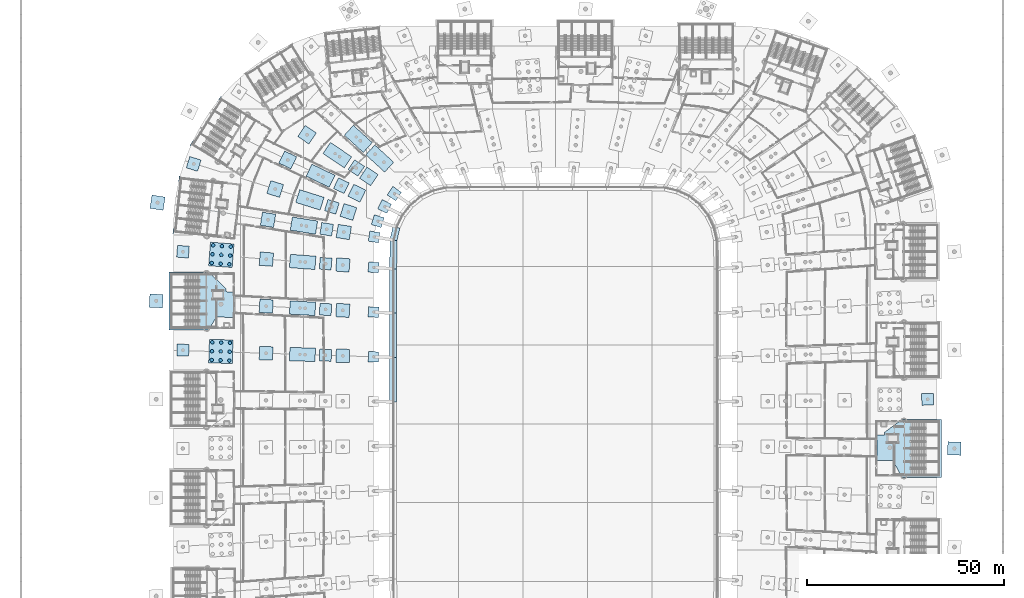
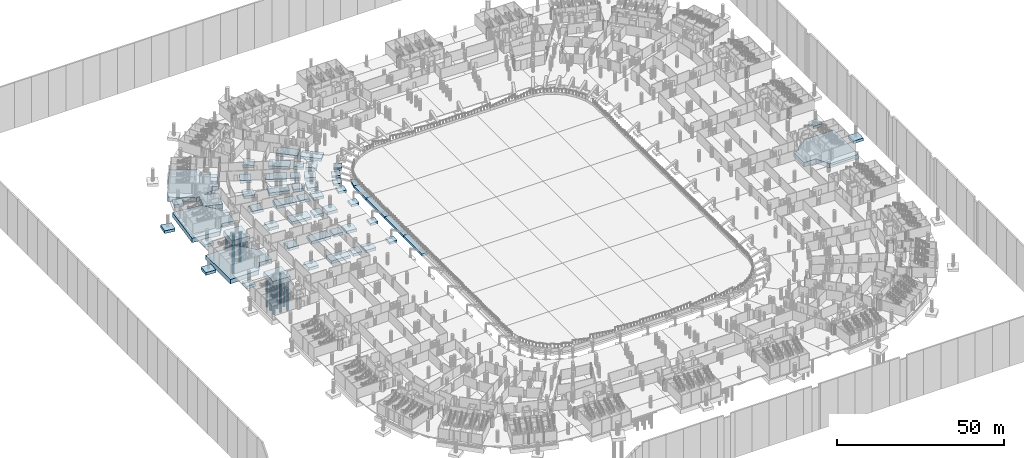
# One storey, part 5 of 142: 54 footings, 18 piles.
"""IFC4 building model written with IfcOpenShell, lengths in metres."""

import ifcopenshell
import ifcopenshell.guid

model = None  # the IFC model being written
_history = None  # IfcOwnerHistory: only IFC2X3 demands one
_inside = {}  # id of a spatial element -> (the spatial element, [elements in it])
_under = {}  # id of a project, library or spatial element -> (it, [spatial elements below it])
_declared = {}  # id of a project -> (the project, [libraries it declares])
_typed = {}  # id of a type object -> (the type object, [elements of that type])
_made_of = {}  # id of a material, layer set ... -> (it, [elements and type objects made of it])


def new_model(schema):
    """Start an empty IFC model of exactly this schema.

    Asked for "IFC4X3", IfcOpenShell would pick the latest addendum, in which some entities
    have other attributes; the version numbers below select the first issue.
    IFC2X3 requires an IfcOwnerHistory on every rooted entity: one is made here for all.
    """
    global model, _history
    if schema == "IFC4X3":
        model = ifcopenshell.file(schema_version=(4, 3, 0, 0))
    else:
        model = ifcopenshell.file(schema=schema)
    _inside.clear()
    _under.clear()
    _declared.clear()
    _typed.clear()
    _made_of.clear()
    _history = None
    if model.schema == "IFC2X3":
        org = make("IfcOrganization", Name="unknown")
        user = make(
            "IfcPersonAndOrganization",
            ThePerson=make("IfcPerson", FamilyName="unknown"),
            TheOrganization=org,
        )
        app = make(
            "IfcApplication",
            ApplicationDeveloper=org,
            Version="unknown",
            ApplicationFullName="unknown",
            ApplicationIdentifier="unknown",
        )
        _history = make(
            "IfcOwnerHistory",
            OwningUser=user,
            OwningApplication=app,
            ChangeAction="ADDED",
            CreationDate=0,
        )
    return model


def make(cls, **values):
    """One entity of the class cls with the attributes given. An attribute that is None is left unset."""
    return model.create_entity(
        cls, **{name: value for name, value in values.items() if value is not None}
    )


def rooted(cls, **values):
    """An entity with a GlobalId (a new one), such as an element, a storey or a relation."""
    return make(cls, GlobalId=ifcopenshell.guid.new(), OwnerHistory=_history, **values)


def si_unit(unit_type, name, prefix=None):
    """IfcSIUnit, for example si_unit("LENGTHUNIT", "METRE", prefix="MILLI")."""
    return make("IfcSIUnit", UnitType=unit_type, Prefix=prefix, Name=name)


def assignment(units):
    """IfcUnitAssignment: the units of a project."""
    return None if units is None else make("IfcUnitAssignment", Units=units)


def point(xyz):
    """IfcCartesianPoint."""
    return None if xyz is None else make("IfcCartesianPoint", Coordinates=xyz)


def direction(xyz):
    """IfcDirection."""
    return None if xyz is None else make("IfcDirection", DirectionRatios=xyz)


def frame(location, z_axis=None, x_axis=None):
    """IfcAxis2Placement3D, a coordinate frame: its origin and axes. An axis left out is left unset."""
    return make(
        "IfcAxis2Placement3D",
        Location=point(location),
        Axis=direction(z_axis),
        RefDirection=direction(x_axis),
    )


def frame_2d(location, x_axis=None):
    """IfcAxis2Placement2D, a coordinate frame in the plane: its origin and x axis."""
    return make(
        "IfcAxis2Placement2D", Location=point(location), RefDirection=direction(x_axis)
    )


def origin():
    """The frame at (0, 0, 0) with its axes left unset."""
    return frame((0.0, 0.0, 0.0))


def origin_2d():
    """The frame at (0, 0) in the plane with its x axis left unset."""
    return frame_2d((0.0, 0.0))


def place(relative_to, where):
    """IfcLocalPlacement: puts the frame where relative to a parent placement (None: the world)."""
    return make(
        "IfcLocalPlacement", PlacementRelTo=relative_to, RelativePlacement=where
    )


def context(
    kind, dimensions, precision=None, world=None, true_north=None, identifier=None
):
    """IfcGeometricRepresentationContext, for example the 3D "Model" context."""
    return make(
        "IfcGeometricRepresentationContext",
        ContextIdentifier=identifier,
        ContextType=kind,
        CoordinateSpaceDimension=dimensions,
        Precision=precision,
        WorldCoordinateSystem=world,
        TrueNorth=true_north,
    )


def subcontext(parent, identifier, kind, view, scale=None):
    """IfcGeometricRepresentationSubContext, for example "Body" below "Model"."""
    return make(
        "IfcGeometricRepresentationSubContext",
        ContextIdentifier=identifier,
        ContextType=kind,
        ParentContext=parent,
        TargetScale=scale,
        TargetView=view,
    )


def project(units=None, contexts=None):
    """IfcProject with its units and contexts."""
    return rooted(
        "IfcProject",
        Name="project",
        RepresentationContexts=contexts,
        UnitsInContext=assignment(units),
    )


def spatial(cls, under=None, at=None, **own):
    """A site, building, storey or space (cls), placed at a placement, below another one or the project."""
    s = rooted(cls, ObjectPlacement=at, **own)
    if under is not None:
        _under.setdefault(under.id(), (under, []))[1].append(s)
    return s


def polyline(points):
    """IfcPolyline through the points."""
    return make("IfcPolyline", Points=[point(p) for p in points])


def profile(cls, at=None, kind="AREA", **sizes):
    """A parametric profile (cls). Its sizes go by their IFC names, for example OverallWidth=200.0."""
    return make(cls, ProfileType=kind, Position=at, **sizes)


def circle(**sizes):
    """IfcCircleProfileDef."""
    return profile("IfcCircleProfileDef", **sizes)


def outline(outer, holes=None, kind="AREA"):
    """IfcArbitraryClosedProfileDef: a profile drawn as a closed curve; with holes, ...WithVoids."""
    if holes is None:
        return make("IfcArbitraryClosedProfileDef", ProfileType=kind, OuterCurve=outer)
    return make(
        "IfcArbitraryProfileDefWithVoids",
        ProfileType=kind,
        OuterCurve=outer,
        InnerCurves=holes,
    )


def extrude(swept, where, along, depth):
    """IfcExtrudedAreaSolid: the profile swept, set in the frame where, extruded along a direction by depth."""
    return make(
        "IfcExtrudedAreaSolid",
        SweptArea=swept,
        Position=where,
        ExtrudedDirection=direction(along),
        Depth=depth,
    )


def shape(context_of_items, identifier, shape_type, items):
    """IfcShapeRepresentation: the items that make up one representation, for example the "Body"."""
    return make(
        "IfcShapeRepresentation",
        ContextOfItems=context_of_items,
        RepresentationIdentifier=identifier,
        RepresentationType=shape_type,
        Items=items,
    )


def material(Name=None, Category=None):
    """IfcMaterial."""
    return make("IfcMaterial", Name=Name, Category=Category)


def material_profile(
    of_material, cross_section, Name=None, Category=None, Priority=None
):
    """IfcMaterialProfile: a cross section and its material."""
    return make(
        "IfcMaterialProfile",
        Name=Name,
        Material=of_material,
        Profile=cross_section,
        Priority=Priority,
        Category=Category,
    )


def profile_set(profiles, Name=None, composite=None):
    """IfcMaterialProfileSet."""
    return make(
        "IfcMaterialProfileSet",
        Name=Name,
        MaterialProfiles=profiles,
        CompositeProfile=composite,
    )


def made_of(thing, what):
    """Note that an element or type object is made of a material, layer set ...; save() writes the relation."""
    if what is not None:
        _made_of.setdefault(what.id(), (what, []))[1].append(thing)
    return thing


def type_object(cls, material=None, **own):
    """A type object (cls), such as IfcWallType, which elements share."""
    return made_of(rooted(cls, **own), material)


def element(
    cls,
    number,
    at=None,
    inside=None,
    cuts=None,
    type_object=None,
    material=None,
    context=None,
    identifier="Body",
    shape_type=None,
    held_by="IfcProductDefinitionShape",
    body=None,
    shapes=None,
    **own,
):
    """One element of the class cls, such as IfcWall. Its Tag is "e" and its number.

    at: its placement. inside: the storey or other place that contains it. cuts: it is an
    opening in that element (IfcRelVoidsElement). A single representation is given by context,
    identifier, shape_type and body (its items); several are given by shapes. held_by: the class
    of the entity that holds the representations. save() writes the other relations.
    """
    e = rooted(cls, Tag="e%d" % number, ObjectPlacement=at, **own)
    if body is not None:
        shapes = [shape(context, identifier, shape_type, body)]
    if shapes is not None:
        e.Representation = make(held_by, Representations=shapes)
    if inside is not None:
        _inside.setdefault(inside.id(), (inside, []))[1].append(e)
    if cuts is not None:
        rooted(
            "IfcRelVoidsElement", RelatingBuildingElement=cuts, RelatedOpeningElement=e
        )
    if type_object is not None:
        _typed.setdefault(type_object.id(), (type_object, []))[1].append(e)
    return made_of(e, material)


def aggregate(whole, parts):
    """IfcRelAggregates: a whole, such as a stair, and the parts it consists of."""
    return rooted("IfcRelAggregates", RelatingObject=whole, RelatedObjects=parts)


def save(model, path):
    """Write the relations noted so far, then the file.

    IfcRelAggregates (storeys below a building ...), IfcRelContainedInSpatialStructure (elements
    in a storey), IfcRelDefinesByType, IfcRelAssociatesMaterial and IfcRelDeclares: one each for
    every whole, place, type object, material and project.
    """
    for whole, parts in _under.values():
        aggregate(whole, parts)
    for where, things in _inside.values():
        rooted(
            "IfcRelContainedInSpatialStructure",
            RelatedElements=things,
            RelatingStructure=where,
        )
    for kind, things in _typed.values():
        rooted("IfcRelDefinesByType", RelatedObjects=things, RelatingType=kind)
    for what, things in _made_of.values():
        rooted("IfcRelAssociatesMaterial", RelatedObjects=things, RelatingMaterial=what)
    for by, libraries in _declared.values():
        rooted("IfcRelDeclares", RelatingContext=by, RelatedDefinitions=libraries)
    model.write(path)


model = new_model("IFC4")

# Units and contexts
model_context = context("Model", 3, precision=1e-05, world=origin(), true_north=direction((0.0, 1.0)))
body_context = subcontext(model_context, "Body", "Model", "MODEL_VIEW")
ifc_project = project(units=[si_unit("LENGTHUNIT", "METRE"), si_unit("AREAUNIT", "SQUARE_METRE"), si_unit("VOLUMEUNIT", "CUBIC_METRE"), si_unit("PLANEANGLEUNIT", "RADIAN"), si_unit("MASSUNIT", "GRAM", prefix="KILO")], contexts=[model_context])

# Site, building, storey
site_placement = place(None, origin())
site = spatial("IfcSite", under=ifc_project, at=site_placement, CompositionType="ELEMENT")
building_placement = place(site_placement, origin())
building = spatial("IfcBuilding", under=site, at=building_placement, Name="Meseta Stadium", CompositionType="ELEMENT")
storey_placement = place(building_placement, frame((0.0, 0.0, -4.0)))
storey = spatial("IfcBuildingStorey", under=building, at=storey_placement, Name="B1", CompositionType="ELEMENT", Elevation=-4.0)

# Piles
ifc_material_1 = material(Name="Concrete C30/37", Category="concrete")
ifc_material_profile = material_profile(ifc_material_1, circle(Radius=0.449951171875, at=origin_2d()), Name="D900")
ifc_profile_set = profile_set([ifc_material_profile], Name="Concrete C30/37")
pile_type = type_object("IfcPileType", Name="Bored pile D900 A", PredefinedType="BORED", material=ifc_profile_set)
for number, where, z_axis, x_axis, name in (
    (1, (-82.4384765625, 45.019775390625, -2.10009765625), (0.0, 0.0, -1.0), (1.0, 0.0, 0.0), "Bored pile BP9A 29-P-01"),
    (2, (-82.610595703125, 42.7763671875, -2.10009765625), (0.0, 0.0, -1.0), (1.0, 0.0, 0.0), "Bored pile BP9A 29-P-02"),
    (3, (-82.78271484375, 40.532958984375, -2.10009765625), (0.0, 0.0, -1.0), (1.0, 0.0, 0.0), "Bored pile BP9A 29-P-03"),
    (4, (-84.681884765625, 45.19189453125, -2.10009765625), (0.0, 0.0, -1.0), (1.0, 0.0, 0.0), "Bored pile BP9A 29-P-04"),
    (5, (-84.85400390625, 42.948486328125, -2.10009765625), (0.0, 0.0, -1.0), (1.0, 0.0, 0.0), "Bored pile BP9A 29-P-05"),
    (6, (-85.026123046875, 40.705078125, -2.10009765625), (0.0, 0.0, -1.0), (1.0, 0.0, 0.0), "Bored pile BP9A 29-P-06"),
    (7, (-86.92529296875, 45.364013671875, -2.10009765625), (0.0, 0.0, -1.0), (1.0, 0.0, 0.0), "Bored pile BP9A 29-P-07"),
    (8, (-87.097412109375, 43.12060546875, -2.10009765625), (0.0, 0.0, -1.0), (1.0, 0.0, 0.0), "Bored pile BP9A 29-P-08"),
    (9, (-87.26953125, 40.877197265625, -2.10009765625), (0.0, 0.0, -1.0), (1.0, 0.0, 0.0), "Bored pile BP9A 29-P-09"),
    (10, (-82.650390625, 20.585693359375, -2.10009765625), (0.0, 0.0, -1.0), (1.0, 0.0, 0.0), "Bored pile BP9A 31-P-01"),
    (11, (-82.724365234375, 18.3369140625, -2.10009765625), (0.0, 0.0, -1.0), (1.0, 0.0, 0.0), "Bored pile BP9A 31-P-02"),
    (12, (-82.798095703125, 16.087890625, -2.10009765625), (0.0, 0.0, -1.0), (1.0, 0.0, 0.0), "Bored pile BP9A 31-P-03"),
    (13, (-84.899169921875, 20.659423828125, -2.10009765625), (0.0, 0.0, -1.0), (1.0, 0.0, 0.0), "Bored pile BP9A 31-P-04"),
    (14, (-84.97314453125, 18.41064453125, -2.10009765625), (0.0, 0.0, -1.0), (1.0, 0.0, 0.0), "Bored pile BP9A 31-P-05"),
    (15, (-85.047119140625, 16.161865234375, -2.10009765625), (0.0, 0.0, -1.0), (1.0, 0.0, 0.0), "Bored pile BP9A 31-P-06"),
    (16, (-87.14794921875, 20.7333984375, -2.10009765625), (0.0, 0.0, -1.0), (1.0, 0.0, 0.0), "Bored pile BP9A 31-P-07"),
    (17, (-87.221923828125, 18.484619140625, -2.10009765625), (0.0, 0.0, -1.0), (1.0, 0.0, 0.0), "Bored pile BP9A 31-P-08"),
    (18, (-87.2958984375, 16.23583984375, -2.10009765625), (0.0, 0.0, -1.0), (1.0, 0.0, 0.0), "Bored pile BP9A 31-P-09"),
):
    element("IfcPile", number, at=place(storey_placement, frame(where, z_axis=z_axis, x_axis=x_axis)), inside=storey, type_object=pile_type, Name=name, PredefinedType="BORED", context=body_context, shape_type="SweptSolid", body=[
        extrude(circle(Radius=0.449951171875, at=origin_2d()), origin(), (0.0, 0.0, 1.0), 10.89990234375),
    ])

# Footings
ifc_material_2 = material(Name="Concrete C30/37", Category="concrete")
footing_type_1 = type_object("IfcFootingType", Name="Combined footing 6500x3400", PredefinedType="PAD_FOOTING", material=ifc_material_2)
footing_1_placement = place(storey_placement, frame((0.0, 0.0, -1.39990234375)))
element("IfcFooting", 19, at=footing_1_placement, inside=storey, type_object=footing_type_1, Name="Footing F65.34 24-BU", PredefinedType="PAD_FOOTING", context=body_context, shape_type="SweptSolid", body=[
    extrude(outline(polyline([(-41.054443359375, 66.481201171875), (-45.848876953125, 70.8701171875), (-48.14453125, 68.3623046875), (-43.35009765625, 63.973388671875), (-41.054443359375, 66.481201171875)])), origin(), (0.0, 0.0, 1.0), 1.0),
])
footing_2_placement = place(storey_placement, frame((0.0, 0.0, -1.39990234375)))
element("IfcFooting", 20, at=footing_2_placement, inside=storey, type_object=footing_type_1, Name="Footing F65.34 24-CD", PredefinedType="PAD_FOOTING", context=body_context, shape_type="SweptSolid", body=[
    extrude(outline(polyline([(-46.499755859375, 71.466064453125), (-51.294189453125, 75.85498046875), (-53.590087890625, 73.34716796875), (-48.795654296875, 68.958251953125), (-46.499755859375, 71.466064453125)])), origin(), (0.0, 0.0, 1.0), 1.0),
])
footing_3_placement = place(storey_placement, frame((0.0, 0.0, -1.39990234375)))
element("IfcFooting", 21, at=footing_3_placement, inside=storey, type_object=footing_type_1, Name="Footing F65.34 25-CD", PredefinedType="PAD_FOOTING", context=body_context, shape_type="SweptSolid", body=[
    extrude(outline(polyline([(-51.735107421875, 67.870361328125), (-57.12255859375, 71.507080078125), (-59.02490234375, 68.689208984375), (-53.637451171875, 65.052490234375), (-51.735107421875, 67.870361328125)])), origin(), (0.0, 0.0, 1.0), 1.0),
])
footing_4_placement = place(storey_placement, frame((0.0, 0.0, -1.39990234375)))
element("IfcFooting", 22, at=footing_4_placement, inside=storey, type_object=footing_type_1, Name="Footing F65.34 26-CD", PredefinedType="PAD_FOOTING", context=body_context, shape_type="SweptSolid", body=[
    extrude(outline(polyline([(-55.969970703125, 63.171875), (-61.82763671875, 65.989013671875), (-63.30126953125, 62.925048828125), (-57.443359375, 60.10791015625), (-55.969970703125, 63.171875)])), origin(), (0.0, 0.0, 1.0), 1.0),
])
footing_5_placement = place(storey_placement, frame((0.0, 0.0, -1.39990234375)))
element("IfcFooting", 23, at=footing_5_placement, inside=storey, type_object=footing_type_1, Name="Footing F65.34 27-CD", PredefinedType="PAD_FOOTING", context=body_context, shape_type="SweptSolid", body=[
    extrude(outline(polyline([(-58.733642578125, 57.559814453125), (-64.935791015625, 59.50439453125), (-65.953125, 56.260009765625), (-59.750732421875, 54.3154296875), (-58.733642578125, 57.559814453125)])), origin(), (0.0, 0.0, 1.0), 1.0),
])
footing_6_placement = place(storey_placement, frame((0.0, 0.0, -1.39990234375)))
element("IfcFooting", 24, at=footing_6_placement, inside=storey, type_object=footing_type_1, Name="Footing F65.34 28-CD", PredefinedType="PAD_FOOTING", context=body_context, shape_type="SweptSolid", body=[
    extrude(outline(polyline([(-60.380859375, 51.5380859375), (-66.798095703125, 52.571533203125), (-67.3388671875, 49.21484375), (-60.92138671875, 48.18115234375), (-60.380859375, 51.5380859375)])), origin(), (0.0, 0.0, 1.0), 1.0),
])
footing_7_placement = place(storey_placement, frame((0.0, 0.0, -1.39990234375)))
element("IfcFooting", 25, at=footing_7_placement, inside=storey, type_object=footing_type_1, Name="Footing F65.34 29-CD", PredefinedType="PAD_FOOTING", context=body_context, shape_type="SweptSolid", body=[
    extrude(outline(polyline([(-60.811279296875, 42.6005859375), (-67.292236328125, 43.097900390625), (-67.552490234375, 39.7080078125), (-61.0712890625, 39.210693359375), (-60.811279296875, 42.6005859375)])), origin(), (0.0, 0.0, 1.0), 1.0),
])
footing_8_placement = place(storey_placement, frame((0.0, 0.0, -1.39990234375)))
element("IfcFooting", 26, at=footing_8_placement, inside=storey, type_object=footing_type_1, Name="Footing F65.34 30-CD", PredefinedType="PAD_FOOTING", context=body_context, shape_type="SweptSolid", body=[
    extrude(outline(polyline([(-60.876953125, 30.917236328125), (-67.3671875, 31.273193359375), (-67.55322265625, 27.878173828125), (-61.06298828125, 27.5224609375), (-60.876953125, 30.917236328125)])), origin(), (0.0, 0.0, 1.0), 1.0),
])
footing_9_placement = place(storey_placement, frame((0.0, 0.0, -1.39990234375)))
element("IfcFooting", 27, at=footing_9_placement, inside=storey, type_object=footing_type_1, Name="Footing F65.34 31-CD", PredefinedType="PAD_FOOTING", context=body_context, shape_type="SweptSolid", body=[
    extrude(outline(polyline([(-60.933349609375, 19.231689453125), (-67.4296875, 19.4453125), (-67.54150390625, 16.047119140625), (-61.045166015625, 15.83349609375), (-60.933349609375, 19.231689453125)])), origin(), (0.0, 0.0, 1.0), 1.0),
])
ifc_material_3 = material(Name="Concrete C30/37", Category="concrete")
footing_type_2 = type_object("IfcFootingType", Name="Pad footing 2600", PredefinedType="PAD_FOOTING", material=ifc_material_3)
footing_10_placement = place(storey_placement, frame((0.0, 0.0, -1.199951171875)))
element("IfcFooting", 28, at=footing_10_placement, inside=storey, type_object=footing_type_2, Name="Footing F26 25-A", PredefinedType="PAD_FOOTING", context=body_context, shape_type="SweptSolid", body=[
    extrude(outline(polyline([(-39.11181640625, 58.8662109375), (-41.2666015625, 60.32080078125), (-42.72119140625, 58.166015625), (-40.56640625, 56.711181640625), (-39.11181640625, 58.8662109375)])), origin(), (0.0, 0.0, 1.0), 0.800048828125),
])
footing_11_placement = place(storey_placement, frame((0.0, 0.0, -1.199951171875)))
element("IfcFooting", 29, at=footing_11_placement, inside=storey, type_object=footing_type_2, Name="Footing F26 26-A", PredefinedType="PAD_FOOTING", context=body_context, shape_type="SweptSolid", body=[
    extrude(outline(polyline([(-41.652099609375, 55.84228515625), (-43.9951171875, 56.96923828125), (-45.1220703125, 54.626220703125), (-42.779052734375, 53.499267578125), (-41.652099609375, 55.84228515625)])), origin(), (0.0, 0.0, 1.0), 0.800048828125),
])
footing_12_placement = place(storey_placement, frame((0.0, 0.0, -1.199951171875)))
element("IfcFooting", 30, at=footing_12_placement, inside=storey, type_object=footing_type_2, Name="Footing F26 27-A", PredefinedType="PAD_FOOTING", context=body_context, shape_type="SweptSolid", body=[
    extrude(outline(polyline([(-43.49072265625, 52.361328125), (-45.9716796875, 53.139404296875), (-46.74951171875, 50.658203125), (-44.2685546875, 49.880615234375), (-43.49072265625, 52.361328125)])), origin(), (0.0, 0.0, 1.0), 0.800048828125),
])
footing_13_placement = place(storey_placement, frame((0.0, 0.0, -1.199951171875)))
element("IfcFooting", 31, at=footing_13_placement, inside=storey, type_object=footing_type_2, Name="Footing F26 28-A", PredefinedType="PAD_FOOTING", context=body_context, shape_type="SweptSolid", body=[
    extrude(outline(polyline([(-44.54931640625, 48.5830078125), (-47.1162109375, 48.99658203125), (-47.52978515625, 46.429443359375), (-44.962890625, 46.01611328125), (-44.54931640625, 48.5830078125)])), origin(), (0.0, 0.0, 1.0), 0.800048828125),
])
footing_14_placement = place(storey_placement, frame((0.0, 0.0, -1.199951171875)))
element("IfcFooting", 32, at=footing_14_placement, inside=storey, type_object=footing_type_2, Name="Footing F26 29-A", PredefinedType="PAD_FOOTING", context=body_context, shape_type="SweptSolid", body=[
    extrude(outline(polyline([(-44.7890625, 40.9697265625), (-47.38134765625, 41.168701171875), (-47.580322265625, 38.576416015625), (-44.988037109375, 38.377197265625), (-44.7890625, 40.9697265625)])), origin(), (0.0, 0.0, 1.0), 0.800048828125),
])
footing_15_placement = place(storey_placement, frame((0.0, 0.0, -1.199951171875)))
element("IfcFooting", 33, at=footing_15_placement, inside=storey, type_object=footing_type_2, Name="Footing F26 30-A", PredefinedType="PAD_FOOTING", context=body_context, shape_type="SweptSolid", body=[
    extrude(outline(polyline([(-44.822998046875, 29.636474609375), (-47.419189453125, 29.77880859375), (-47.561279296875, 27.182861328125), (-44.96533203125, 27.040283203125), (-44.822998046875, 29.636474609375)])), origin(), (0.0, 0.0, 1.0), 0.800048828125),
])
footing_16_placement = place(storey_placement, frame((0.0, 0.0, -1.199951171875)))
element("IfcFooting", 34, at=footing_16_placement, inside=storey, type_object=footing_type_2, Name="Footing F26 31-A", PredefinedType="PAD_FOOTING", context=body_context, shape_type="SweptSolid", body=[
    extrude(outline(polyline([(-44.855224609375, 18.302490234375), (-47.45361328125, 18.387939453125), (-47.539306640625, 15.789306640625), (-44.940673828125, 15.703857421875), (-44.855224609375, 18.302490234375)])), origin(), (0.0, 0.0, 1.0), 0.800048828125),
])
ifc_material_4 = material(Name="Concrete C30/37", Category="concrete")
footing_type_3 = type_object("IfcFootingType", Name="Pad footing 3000", PredefinedType="PAD_FOOTING", material=ifc_material_4)
footing_17_placement = place(storey_placement, frame((0.0, 0.0, -1.39990234375)))
element("IfcFooting", 35, at=footing_17_placement, inside=storey, type_object=footing_type_3, Name="Footing F30 05-R", PredefinedType="PAD_FOOTING", context=body_context, shape_type="SweptSolid", body=[
    extrude(outline(polyline([(93.116455078125, 4.733642578125), (96.116455078125, 4.7666015625), (96.08349609375, 7.766357421875), (93.08349609375, 7.7333984375), (93.116455078125, 4.733642578125)])), origin(), (0.0, 0.0, 1.0), 1.0),
])
footing_18_placement = place(storey_placement, frame((0.0, 0.0, -1.39990234375)))
element("IfcFooting", 36, at=footing_18_placement, inside=storey, type_object=footing_type_3, Name="Footing F30 25-U", PredefinedType="PAD_FOOTING", context=body_context, shape_type="SweptSolid", body=[
    extrude(outline(polyline([(-48.470458984375, 65.42529296875), (-50.956787109375, 67.103759765625), (-52.635498046875, 64.6171875), (-50.14892578125, 62.938720703125), (-48.470458984375, 65.42529296875)])), origin(), (0.0, 0.0, 1.0), 1.0),
])
footing_19_placement = place(storey_placement, frame((0.0, 0.0, -1.39990234375)))
element("IfcFooting", 37, at=footing_19_placement, inside=storey, type_object=footing_type_3, Name="Footing F30 26-U", PredefinedType="PAD_FOOTING", context=body_context, shape_type="SweptSolid", body=[
    extrude(outline(polyline([(-52.3623046875, 61.215087890625), (-55.06591796875, 62.515380859375), (-56.3662109375, 59.811767578125), (-53.66259765625, 58.511474609375), (-52.3623046875, 61.215087890625)])), origin(), (0.0, 0.0, 1.0), 1.0),
])
footing_20_placement = place(storey_placement, frame((0.0, 0.0, -1.39990234375)))
element("IfcFooting", 38, at=footing_20_placement, inside=storey, type_object=footing_type_3, Name="Footing F30 27-R", PredefinedType="PAD_FOOTING", context=body_context, shape_type="SweptSolid", body=[
    extrude(outline(polyline([(-89.99267578125, 67.0341796875), (-92.855224609375, 67.931640625), (-93.752685546875, 65.069091796875), (-90.89013671875, 64.17138671875), (-89.99267578125, 67.0341796875)])), origin(), (0.0, 0.0, 1.0), 1.0),
])
footing_21_placement = place(storey_placement, frame((0.0, 0.0, -1.39990234375)))
element("IfcFooting", 39, at=footing_21_placement, inside=storey, type_object=footing_type_3, Name="Footing F30 27-U", PredefinedType="PAD_FOOTING", context=body_context, shape_type="SweptSolid", body=[
    extrude(outline(polyline([(-54.88134765625, 56.142333984375), (-57.743896484375, 57.039794921875), (-58.641357421875, 54.17724609375), (-55.77880859375, 53.27978515625), (-54.88134765625, 56.142333984375)])), origin(), (0.0, 0.0, 1.0), 1.0),
])
footing_22_placement = place(storey_placement, frame((0.0, 0.0, -1.39990234375)))
element("IfcFooting", 40, at=footing_22_placement, inside=storey, type_object=footing_type_3, Name="Footing F30 28-U", PredefinedType="PAD_FOOTING", context=body_context, shape_type="SweptSolid", body=[
    extrude(outline(polyline([(-56.364990234375, 50.688720703125), (-59.32666015625, 51.16552734375), (-59.8037109375, 48.203857421875), (-56.841796875, 47.726806640625), (-56.364990234375, 50.688720703125)])), origin(), (0.0, 0.0, 1.0), 1.0),
])
footing_23_placement = place(storey_placement, frame((0.0, 0.0, -1.39990234375)))
element("IfcFooting", 41, at=footing_23_placement, inside=storey, type_object=footing_type_3, Name="Footing F30 29-R", PredefinedType="PAD_FOOTING", context=body_context, shape_type="SweptSolid", body=[
    extrude(outline(polyline([(-92.989501953125, 45.130859375), (-95.980712890625, 45.3603515625), (-96.21044921875, 42.369140625), (-93.21923828125, 42.1396484375), (-92.989501953125, 45.130859375)])), origin(), (0.0, 0.0, 1.0), 1.0),
])
footing_24_placement = place(storey_placement, frame((0.0, 0.0, -1.39990234375)))
element("IfcFooting", 42, at=footing_24_placement, inside=storey, type_object=footing_type_3, Name="Footing F30 29-U", PredefinedType="PAD_FOOTING", context=body_context, shape_type="SweptSolid", body=[
    extrude(outline(polyline([(-56.738525390625, 42.08740234375), (-59.729736328125, 42.31689453125), (-59.95947265625, 39.32568359375), (-56.96826171875, 39.09619140625), (-56.738525390625, 42.08740234375)])), origin(), (0.0, 0.0, 1.0), 1.0),
])
footing_25_placement = place(storey_placement, frame((0.0, 0.0, -1.39990234375)))
element("IfcFooting", 43, at=footing_25_placement, inside=storey, type_object=footing_type_3, Name="Footing F30 30-U", PredefinedType="PAD_FOOTING", context=body_context, shape_type="SweptSolid", body=[
    extrude(outline(polyline([(-56.7939453125, 30.4931640625), (-59.78955078125, 30.657470703125), (-59.953857421875, 27.661865234375), (-56.958251953125, 27.497802734375), (-56.7939453125, 30.4931640625)])), origin(), (0.0, 0.0, 1.0), 1.0),
])
footing_26_placement = place(storey_placement, frame((0.0, 0.0, -1.39990234375)))
element("IfcFooting", 44, at=footing_26_placement, inside=storey, type_object=footing_type_3, Name="Footing F30 31-R", PredefinedType="PAD_FOOTING", context=body_context, shape_type="SweptSolid", body=[
    extrude(outline(polyline([(-93.051513671875, 20.199951171875), (-96.0498046875, 20.298583984375), (-96.1484375, 17.300048828125), (-93.150146484375, 17.201416015625), (-93.051513671875, 20.199951171875)])), origin(), (0.0, 0.0, 1.0), 1.0),
])
footing_27_placement = place(storey_placement, frame((0.0, 0.0, -1.39990234375)))
element("IfcFooting", 45, at=footing_27_placement, inside=storey, type_object=footing_type_3, Name="Footing F30 31-U", PredefinedType="PAD_FOOTING", context=body_context, shape_type="SweptSolid", body=[
    extrude(outline(polyline([(-56.842041015625, 18.89697265625), (-59.840576171875, 18.99560546875), (-59.939208984375, 15.997314453125), (-56.940673828125, 15.898681640625), (-56.842041015625, 18.89697265625)])), origin(), (0.0, 0.0, 1.0), 1.0),
])
ifc_material_5 = material(Name="Concrete C30/37", Category="concrete")
footing_type_4 = type_object("IfcFootingType", Name="Pad footing 3400", PredefinedType="PAD_FOOTING", material=ifc_material_5)
footing_28_placement = place(storey_placement, frame((0.0, 0.0, -1.39990234375)))
element("IfcFooting", 46, at=footing_28_placement, inside=storey, type_object=footing_type_4, Name="Footing F34 04-R", PredefinedType="PAD_FOOTING", context=body_context, shape_type="SweptSolid", body=[
    extrude(outline(polyline([(99.681396484375, -7.931396484375), (103.081298828125, -7.968505859375), (103.118408203125, -4.568603515625), (99.71875, -4.531494140625), (99.681396484375, -7.931396484375)])), origin(), (0.0, 0.0, 1.0), 1.0),
])
footing_29_placement = place(storey_placement, frame((0.0, 0.0, -1.39990234375)))
element("IfcFooting", 47, at=footing_29_placement, inside=storey, type_object=footing_type_4, Name="Footing F34 25-B", PredefinedType="PAD_FOOTING", context=body_context, shape_type="SweptSolid", body=[
    extrude(outline(polyline([(-45.02099609375, 63.338134765625), (-47.839111328125, 65.240478515625), (-49.741455078125, 62.42236328125), (-46.923583984375, 60.52001953125), (-45.02099609375, 63.338134765625)])), origin(), (0.0, 0.0, 1.0), 1.0),
])
footing_30_placement = place(storey_placement, frame((0.0, 0.0, -1.39990234375)))
element("IfcFooting", 48, at=footing_30_placement, inside=storey, type_object=footing_type_4, Name="Footing F34 25-E", PredefinedType="PAD_FOOTING", context=body_context, shape_type="SweptSolid", body=[
    extrude(outline(polyline([(-60.7080078125, 73.927734375), (-63.52587890625, 75.830078125), (-65.42822265625, 73.011962890625), (-62.6103515625, 71.109619140625), (-60.7080078125, 73.927734375)])), origin(), (0.0, 0.0, 1.0), 1.0),
])
footing_31_placement = place(storey_placement, frame((0.0, 0.0, -1.39990234375)))
element("IfcFooting", 49, at=footing_31_placement, inside=storey, type_object=footing_type_4, Name="Footing F34 26-B", PredefinedType="PAD_FOOTING", context=body_context, shape_type="SweptSolid", body=[
    extrude(outline(polyline([(-48.147705078125, 59.409912109375), (-51.211669921875, 60.883544921875), (-52.685302734375, 57.819580078125), (-49.62109375, 56.345947265625), (-48.147705078125, 59.409912109375)])), origin(), (0.0, 0.0, 1.0), 1.0),
])
footing_32_placement = place(storey_placement, frame((0.0, 0.0, -1.39990234375)))
element("IfcFooting", 50, at=footing_32_placement, inside=storey, type_object=footing_type_4, Name="Footing F34 26-E", PredefinedType="PAD_FOOTING", context=body_context, shape_type="SweptSolid", body=[
    extrude(outline(polyline([(-65.70361328125, 67.85302734375), (-68.767578125, 69.32666015625), (-70.2412109375, 66.2626953125), (-67.17724609375, 64.7890625), (-65.70361328125, 67.85302734375)])), origin(), (0.0, 0.0, 1.0), 1.0),
])
footing_33_placement = place(storey_placement, frame((0.0, 0.0, -1.39990234375)))
element("IfcFooting", 51, at=footing_33_placement, inside=storey, type_object=footing_type_4, Name="Footing F34 27-B", PredefinedType="PAD_FOOTING", context=body_context, shape_type="SweptSolid", body=[
    extrude(outline(polyline([(-50.43212890625, 54.95703125), (-53.676513671875, 55.97412109375), (-54.693603515625, 52.72998046875), (-51.44921875, 51.712646484375), (-50.43212890625, 54.95703125)])), origin(), (0.0, 0.0, 1.0), 1.0),
])
footing_34_placement = place(storey_placement, frame((0.0, 0.0, -1.39990234375)))
element("IfcFooting", 52, at=footing_34_placement, inside=storey, type_object=footing_type_4, Name="Footing F34 27-E", PredefinedType="PAD_FOOTING", context=body_context, shape_type="SweptSolid", body=[
    extrude(outline(polyline([(-69.0390625, 60.790771484375), (-72.283203125, 61.80810546875), (-73.300537109375, 58.563720703125), (-70.05615234375, 57.54638671875), (-69.0390625, 60.790771484375)])), origin(), (0.0, 0.0, 1.0), 1.0),
])
footing_35_placement = place(storey_placement, frame((0.0, 0.0, -1.39990234375)))
element("IfcFooting", 53, at=footing_35_placement, inside=storey, type_object=footing_type_4, Name="Footing F34 28-B", PredefinedType="PAD_FOOTING", context=body_context, shape_type="SweptSolid", body=[
    extrude(outline(polyline([(-51.79150390625, 50.154541015625), (-55.1484375, 50.6953125), (-55.68896484375, 47.33837890625), (-52.332275390625, 46.7978515625), (-51.79150390625, 50.154541015625)])), origin(), (0.0, 0.0, 1.0), 1.0),
])
footing_36_placement = place(storey_placement, frame((0.0, 0.0, -1.39990234375)))
element("IfcFooting", 54, at=footing_36_placement, inside=storey, type_object=footing_type_4, Name="Footing F34 28-E", PredefinedType="PAD_FOOTING", context=body_context, shape_type="SweptSolid", body=[
    extrude(outline(polyline([(-71.04345703125, 53.255126953125), (-74.400390625, 53.7958984375), (-74.94091796875, 50.439208984375), (-71.583984375, 49.8984375), (-71.04345703125, 53.255126953125)])), origin(), (0.0, 0.0, 1.0), 1.0),
])
footing_37_placement = place(storey_placement, frame((0.0, 0.0, -1.39990234375)))
element("IfcFooting", 55, at=footing_37_placement, inside=storey, type_object=footing_type_4, Name="Footing F34 28-R", PredefinedType="PAD_FOOTING", context=body_context, shape_type="SweptSolid", body=[
    extrude(outline(polyline([(-99.10302734375, 57.61083984375), (-102.459716796875, 58.151611328125), (-103.000244140625, 54.794921875), (-99.6435546875, 54.254150390625), (-99.10302734375, 57.61083984375)])), origin(), (0.0, 0.0, 1.0), 1.0),
])
footing_38_placement = place(storey_placement, frame((0.0, 0.0, -1.39990234375)))
element("IfcFooting", 56, at=footing_38_placement, inside=storey, type_object=footing_type_4, Name="Footing F34 29-B", PredefinedType="PAD_FOOTING", context=body_context, shape_type="SweptSolid", body=[
    extrude(outline(polyline([(-52.13671875, 41.934814453125), (-55.52685546875, 42.195068359375), (-55.787109375, 38.804931640625), (-52.39697265625, 38.544921875), (-52.13671875, 41.934814453125)])), origin(), (0.0, 0.0, 1.0), 1.0),
])
footing_39_placement = place(storey_placement, frame((0.0, 0.0, -1.39990234375)))
element("IfcFooting", 57, at=footing_39_placement, inside=storey, type_object=footing_type_4, Name="Footing F34 29-E", PredefinedType="PAD_FOOTING", context=body_context, shape_type="SweptSolid", body=[
    extrude(outline(polyline([(-71.57958984375, 43.427001953125), (-74.969482421875, 43.687255859375), (-75.229736328125, 40.29736328125), (-71.83984375, 40.037109375), (-71.57958984375, 43.427001953125)])), origin(), (0.0, 0.0, 1.0), 1.0),
])
footing_40_placement = place(storey_placement, frame((0.0, 0.0, -1.39990234375)))
element("IfcFooting", 58, at=footing_40_placement, inside=storey, type_object=footing_type_4, Name="Footing F34 30-B", PredefinedType="PAD_FOOTING", context=body_context, shape_type="SweptSolid", body=[
    extrude(outline(polyline([(-52.18994140625, 30.44091796875), (-55.5849609375, 30.627197265625), (-55.77099609375, 27.232421875), (-52.376220703125, 27.046142578125), (-52.18994140625, 30.44091796875)])), origin(), (0.0, 0.0, 1.0), 1.0),
])
footing_41_placement = place(storey_placement, frame((0.0, 0.0, -1.39990234375)))
element("IfcFooting", 59, at=footing_41_placement, inside=storey, type_object=footing_type_4, Name="Footing F34 30-E", PredefinedType="PAD_FOOTING", context=body_context, shape_type="SweptSolid", body=[
    extrude(outline(polyline([(-71.660888671875, 31.508544921875), (-75.0556640625, 31.694580078125), (-75.24169921875, 28.2998046875), (-71.846923828125, 28.113525390625), (-71.660888671875, 31.508544921875)])), origin(), (0.0, 0.0, 1.0), 1.0),
])
footing_42_placement = place(storey_placement, frame((0.0, 0.0, -1.39990234375)))
element("IfcFooting", 60, at=footing_42_placement, inside=storey, type_object=footing_type_4, Name="Footing F34 30-R", PredefinedType="PAD_FOOTING", context=body_context, shape_type="SweptSolid", body=[
    extrude(outline(polyline([(-99.609619140625, 32.8544921875), (-103.00439453125, 33.04052734375), (-103.1904296875, 29.6455078125), (-99.795654296875, 29.45947265625), (-99.609619140625, 32.8544921875)])), origin(), (0.0, 0.0, 1.0), 1.0),
])
footing_43_placement = place(storey_placement, frame((0.0, 0.0, -1.39990234375)))
element("IfcFooting", 61, at=footing_43_placement, inside=storey, type_object=footing_type_4, Name="Footing F34 31-B", PredefinedType="PAD_FOOTING", context=body_context, shape_type="SweptSolid", body=[
    extrude(outline(polyline([(-52.238037109375, 18.945556640625), (-55.63623046875, 19.057373046875), (-55.747802734375, 15.6591796875), (-52.349853515625, 15.54736328125), (-52.238037109375, 18.945556640625)])), origin(), (0.0, 0.0, 1.0), 1.0),
])
footing_44_placement = place(storey_placement, frame((0.0, 0.0, -1.39990234375)))
element("IfcFooting", 62, at=footing_44_placement, inside=storey, type_object=footing_type_4, Name="Footing F34 31-E", PredefinedType="PAD_FOOTING", context=body_context, shape_type="SweptSolid", body=[
    extrude(outline(polyline([(-71.7275390625, 19.586669921875), (-75.12548828125, 19.698486328125), (-75.2373046875, 16.30029296875), (-71.839111328125, 16.1884765625), (-71.7275390625, 19.586669921875)])), origin(), (0.0, 0.0, 1.0), 1.0),
])
ifc_material_6 = material(Name="Concrete C30/37", Category="concrete")
footing_type_5 = type_object("IfcFootingType", Name="Pile cap 6000", PredefinedType="PILE_CAP", material=ifc_material_6)
footing_45_placement = place(storey_placement, frame((0.0, 0.0, -2.199951171875)))
element("IfcFooting", 63, at=footing_45_placement, inside=storey, type_object=footing_type_5, Name="Pile cap PC60 29-P", PredefinedType="PILE_CAP", context=body_context, shape_type="SweptSolid", body=[
    extrude(outline(polyline([(-81.63330078125, 45.710205078125), (-87.615478515625, 46.169189453125), (-88.07470703125, 40.18701171875), (-82.09228515625, 39.727783203125), (-81.63330078125, 45.710205078125)])), origin(), (0.0, 0.0, 1.0), 1.800048828125),
])
footing_46_placement = place(storey_placement, frame((0.0, 0.0, -2.199951171875)))
element("IfcFooting", 64, at=footing_46_placement, inside=storey, type_object=footing_type_5, Name="Pile cap PC60 31-P", PredefinedType="PILE_CAP", context=body_context, shape_type="SweptSolid", body=[
    extrude(outline(polyline([(-81.876220703125, 21.310546875), (-87.872802734375, 21.5078125), (-88.070068359375, 15.510986328125), (-82.0732421875, 15.313720703125), (-81.876220703125, 21.310546875)])), origin(), (0.0, 0.0, 1.0), 1.800048828125),
])
ifc_material_7 = material(Name="Concrete C30/37", Category="concrete")
footing_type_6 = type_object("IfcFootingType", Name="Raft 16400x14800", PredefinedType="PAD_FOOTING", material=ifc_material_7)
footing_47_placement = place(storey_placement, frame((0.0, 0.0, -2.800048828125)))
element("IfcFooting", 65, at=footing_47_placement, inside=storey, type_object=footing_type_6, Name="Footing R164.148 04-CORE", PredefinedType="PAD_FOOTING", context=body_context, shape_type="SweptSolid", body=[
    extrude(outline(polyline([(88.10009765625, -13.64990234375), (98.10009765625, -13.64990234375), (98.10009765625, 1.14990234375), (88.10009765625, 1.14990234375), (83.699951171875, -2.10009765625), (83.699951171875, -2.81689453125), (81.783447265625, -2.7958984375), (81.712158203125, -9.295654296875), (85.801513671875, -9.34033203125), (88.10009765625, -13.64990234375)])), origin(), (0.0, 0.0, 1.0), 1.60009765625),
])
ifc_material_8 = material(Name="Concrete C30/37", Category="concrete")
footing_type_7 = type_object("IfcFootingType", Name="Raft 16600x14800", PredefinedType="PAD_FOOTING", material=ifc_material_8)
footing_48_placement = place(storey_placement, frame((0.0, 0.0, -2.800048828125)))
element("IfcFooting", 66, at=footing_48_placement, inside=storey, type_object=footing_type_7, Name="Footing R166.148 30-CORE", PredefinedType="PAD_FOOTING", context=body_context, shape_type="SweptSolid", body=[
    extrude(outline(polyline([(-83.699951171875, 33.5908203125), (-83.699951171875, 34.39990234375), (-88.10009765625, 38.64990234375), (-98.10009765625, 38.64990234375), (-98.10009765625, 23.85009765625), (-88.10009765625, 23.85009765625), (-86.060546875, 27.21044921875), (-81.87353515625, 26.98095703125), (-81.517578125, 33.47119140625), (-83.699951171875, 33.5908203125)])), origin(), (0.0, 0.0, 1.0), 1.60009765625),
])
ifc_material_9 = material(Name="Concrete C30/37", Category="concrete")
footing_type_8 = type_object("IfcFootingType", Name="Raft 37000x17300", PredefinedType="PAD_FOOTING", material=ifc_material_9)
footing_49_placement = place(storey_placement, frame((0.0, 0.0, -2.800048828125)))
element("IfcFooting", 67, at=footing_49_placement, inside=storey, type_object=footing_type_8, Name="Footing R370.173 26-CORE", PredefinedType="PAD_FOOTING", context=body_context, shape_type="SweptSolid", body=[
    extrude(outline(polyline([(-80.637939453125, 56.25732421875), (-82.59423828125, 56.572509765625), (-82.513916015625, 57.2841796875), (-85.540283203125, 60.94677734375), (-80.2041015625, 59.273681640625), (-78.408935546875, 64.998779296875), (-82.869873046875, 66.3974609375), (-79.694091796875, 66.860595703125), (-78.475830078125, 68.79931640625), (-76.677490234375, 67.9345703125), (-73.8603515625, 73.792236328125), (-77.671630859375, 75.625244140625), (-77.540771484375, 78.557861328125), (-84.991943359375, 83.23974609375), (-92.865966796875, 70.708251953125), (-85.414794921875, 66.0263671875), (-84.324951171875, 66.185302734375), (-85.85009765625, 61.321533203125), (-86.410400390625, 62.0), (-95.552734375, 63.030029296875), (-97.209716796875, 48.322998046875), (-88.067626953125, 47.293212890625), (-85.6103515625, 50.474365234375), (-81.67138671875, 49.840087890625), (-80.637939453125, 56.25732421875)])), origin(), (0.0, 0.0, 1.0), 1.60009765625),
])
ifc_material_10 = material(Name="Concrete C30/37", Category="concrete")
footing_type_9 = type_object("IfcFootingType", Name="Strip footing 1800", PredefinedType="STRIP_FOOTING", material=ifc_material_10)
footing_50_placement = place(storey_placement, frame((0.0, 0.0, -1.199951171875)))
element("IfcFooting", 68, at=footing_50_placement, inside=storey, type_object=footing_type_9, Name="Strip footing pitch wall bay 28", PredefinedType="STRIP_FOOTING", context=body_context, shape_type="SweptSolid", body=[
    extrude(outline(polyline([(-41.2041015625, 50.31298828125), (-42.001708984375, 46.818603515625), (-40.20458984375, 46.60400390625), (-39.494140625, 49.715087890625), (-41.2041015625, 50.31298828125)])), origin(), (0.0, 0.0, 1.0), 0.800048828125),
])
footing_51_placement = place(storey_placement, frame((0.0, 0.0, -1.199951171875)))
element("IfcFooting", 69, at=footing_51_placement, inside=storey, type_object=footing_type_9, Name="Strip footing pitch wall bay 29", PredefinedType="STRIP_FOOTING", context=body_context, shape_type="SweptSolid", body=[
    extrude(outline(polyline([(-42.001708984375, 46.818603515625), (-42.099365234375, 39.396240234375), (-40.29931640625, 39.384521484375), (-40.20458984375, 46.60400390625), (-42.001708984375, 46.818603515625)])), origin(), (0.0, 0.0, 1.0), 0.800048828125),
])
footing_52_placement = place(storey_placement, frame((0.0, 0.0, -1.199951171875)))
element("IfcFooting", 70, at=footing_52_placement, inside=storey, type_object=footing_type_9, Name="Strip footing pitch wall bay 30", PredefinedType="STRIP_FOOTING", context=body_context, shape_type="SweptSolid", body=[
    extrude(outline(polyline([(-42.099365234375, 39.396240234375), (-42.099609375, 28.135986328125), (-40.2998046875, 28.135986328125), (-40.29931640625, 39.384521484375), (-42.099365234375, 39.396240234375)])), origin(), (0.0, 0.0, 1.0), 0.800048828125),
])
footing_53_placement = place(storey_placement, frame((0.0, 0.0, -1.199951171875)))
element("IfcFooting", 71, at=footing_53_placement, inside=storey, type_object=footing_type_9, Name="Strip footing pitch wall bay 31", PredefinedType="STRIP_FOOTING", context=body_context, shape_type="SweptSolid", body=[
    extrude(outline(polyline([(-42.099609375, 28.135986328125), (-42.099853515625, 16.881591796875), (-40.2998046875, 16.881591796875), (-40.2998046875, 28.135986328125), (-42.099609375, 28.135986328125)])), origin(), (0.0, 0.0, 1.0), 0.800048828125),
])
footing_54_placement = place(storey_placement, frame((0.0, 0.0, -1.199951171875)))
element("IfcFooting", 72, at=footing_54_placement, inside=storey, type_object=footing_type_9, Name="Strip footing pitch wall bay 32", PredefinedType="STRIP_FOOTING", context=body_context, shape_type="SweptSolid", body=[
    extrude(outline(polyline([(-42.099853515625, 16.881591796875), (-42.10009765625, 5.627197265625), (-40.300048828125, 5.627197265625), (-40.2998046875, 16.881591796875), (-42.099853515625, 16.881591796875)])), origin(), (0.0, 0.0, 1.0), 0.800048828125),
])

save(model, "model.ifc")
